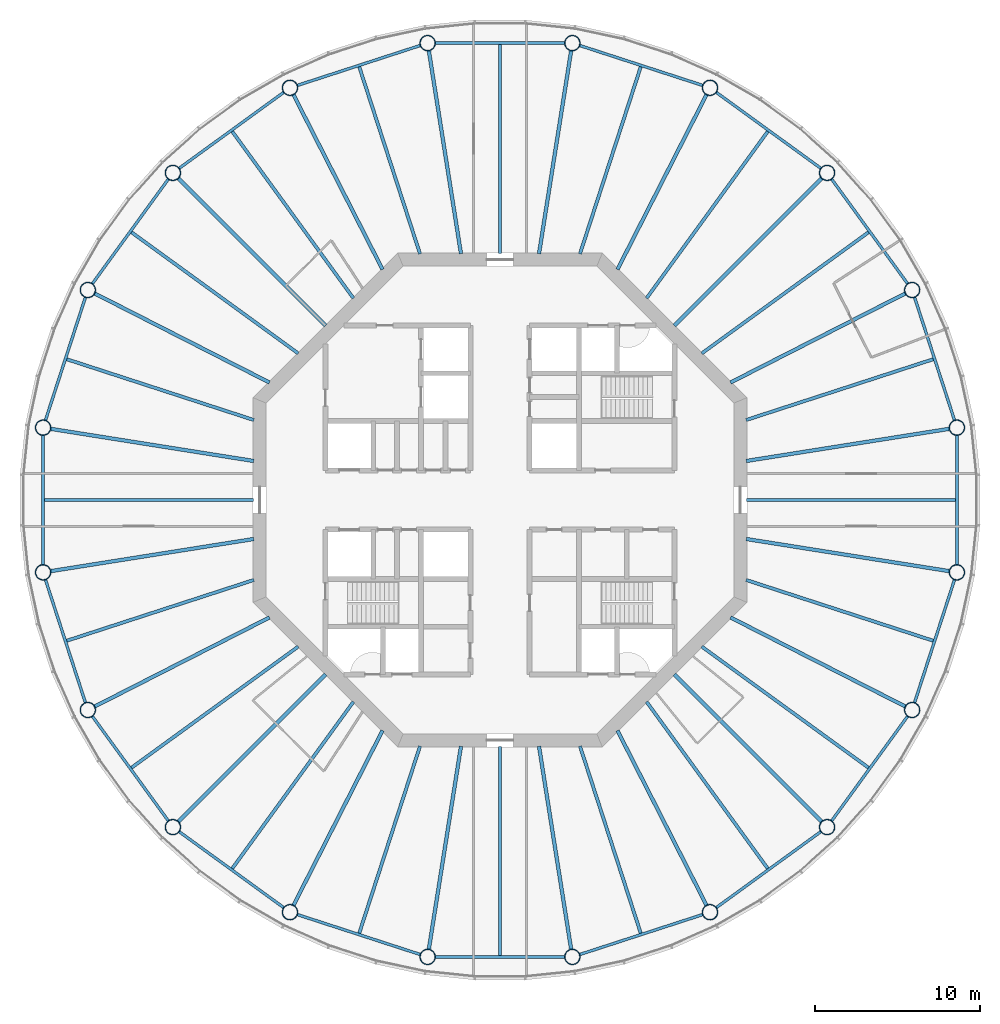
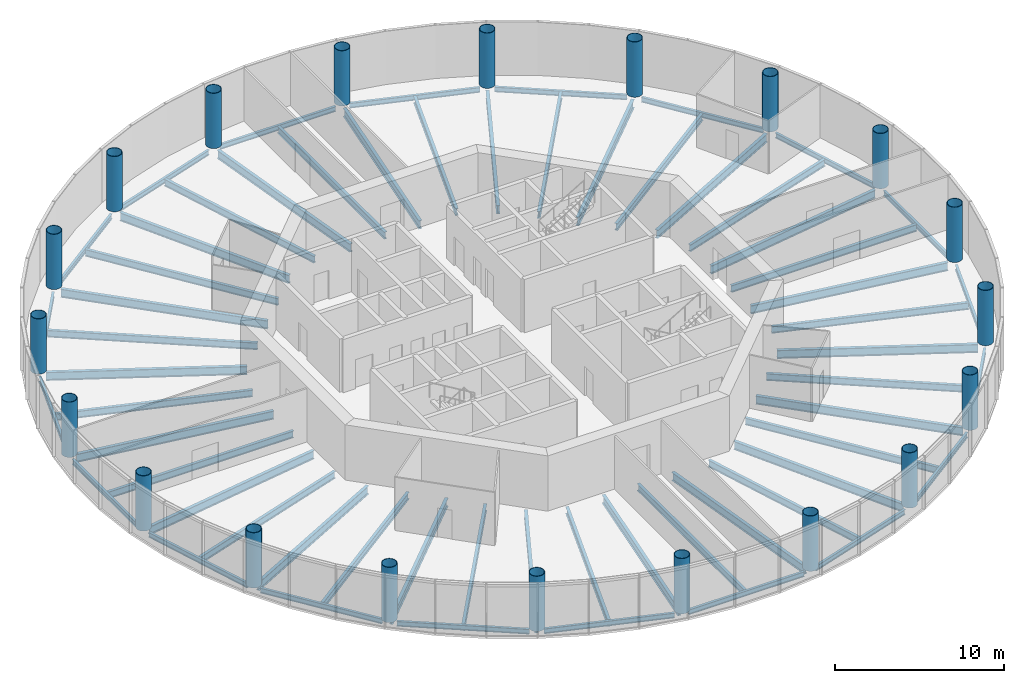
# One storey, part 1 of 12: 60 beams, 20 columns.
"""IFC4 building model written with IfcOpenShell, lengths in metres."""

from ifc_helpers import new_model, si_unit, direction, frame, origin, origin_2d, place, context, subcontext, project, spatial, circle, hollow_circle, i_section, extrude, material, material_profile, profile_set, type_object, element, save


model = new_model("IFC4")

# Units and contexts
model_context = context("Model", 3, precision=1e-05, world=origin(), true_north=direction((0.0, 1.0)))
body_context = subcontext(model_context, "Body", "Model", "MODEL_VIEW")
ifc_project = project(units=[si_unit("LENGTHUNIT", "METRE"), si_unit("AREAUNIT", "SQUARE_METRE"), si_unit("VOLUMEUNIT", "CUBIC_METRE"), si_unit("PLANEANGLEUNIT", "RADIAN"), si_unit("MASSUNIT", "GRAM", prefix="KILO")], contexts=[model_context])

# Site, building, storey
site_placement = place(None, origin())
site = spatial("IfcSite", under=ifc_project, at=site_placement, CompositionType="ELEMENT")
building_placement = place(site_placement, origin())
building = spatial("IfcBuilding", under=site, at=building_placement, Name="Entoto Ring Tower", CompositionType="ELEMENT")
storey_placement = place(building_placement, frame((0.0, 0.0, 322.0)))
storey = spatial("IfcBuildingStorey", under=building, at=storey_placement, Name="L74", CompositionType="ELEMENT", Elevation=322.0)

# Columns
ifc_material_1 = material(Name="Steel S355", Category="steel")
ifc_material_profile_1 = material_profile(ifc_material_1, hollow_circle(Radius=0.47509765625, WallThickness=0.034912109375, at=origin_2d()), Name="CHS 950 x 35")
ifc_material_2 = material(Name="Concrete C60/75", Category="concrete")
ifc_material_profile_2 = material_profile(ifc_material_2, circle(Radius=0.43994140625, at=origin_2d()), Name="Concrete C60/75 infill")
ifc_profile_set_1 = profile_set([ifc_material_profile_1, ifc_material_profile_2], Name="Steel S355")
column_type = type_object("IfcColumnType", Name="Ring column 950 x 35 concrete-filled tube", PredefinedType="COLUMN", material=ifc_profile_set_1)
for number, where, z_axis, x_axis, name in (
    (1, (117.754150390625, 84.395751953125, 0.0), (0.0, 0.0, 1.0), (1.0, 0.0, 0.0), "RC5 R01"),
    (2, (115.037353515625, 92.757080078125, 0.0), (0.0, 0.0, 1.0), (1.0, 0.0, 0.0), "RC5 R02"),
    (3, (109.86962890625, 99.86962890625, 0.0), (0.0, 0.0, 1.0), (1.0, 0.0, 0.0), "RC5 R03"),
    (4, (102.757080078125, 105.037353515625, 0.0), (0.0, 0.0, 1.0), (1.0, 0.0, 0.0), "RC5 R04"),
    (5, (94.395751953125, 107.754150390625, 0.0), (0.0, 0.0, 1.0), (1.0, 0.0, 0.0), "RC5 R05"),
    (6, (85.604248046875, 107.754150390625, 0.0), (0.0, 0.0, 1.0), (1.0, 0.0, 0.0), "RC5 R06"),
    (7, (77.242919921875, 105.037353515625, 0.0), (0.0, 0.0, 1.0), (1.0, 0.0, 0.0), "RC5 R07"),
    (8, (70.13037109375, 99.86962890625, 0.0), (0.0, 0.0, 1.0), (1.0, 0.0, 0.0), "RC5 R08"),
    (9, (64.962646484375, 92.757080078125, 0.0), (0.0, 0.0, 1.0), (1.0, 0.0, 0.0), "RC5 R09"),
    (10, (62.245849609375, 84.395751953125, 0.0), (0.0, 0.0, 1.0), (1.0, 0.0, 0.0), "RC5 R10"),
    (11, (62.245849609375, 75.604248046875, 0.0), (0.0, 0.0, 1.0), (1.0, 0.0, 0.0), "RC5 R11"),
    (12, (64.962646484375, 67.242919921875, 0.0), (0.0, 0.0, 1.0), (1.0, 0.0, 0.0), "RC5 R12"),
    (13, (70.13037109375, 60.13037109375, 0.0), (0.0, 0.0, 1.0), (1.0, 0.0, 0.0), "RC5 R13"),
    (14, (77.242919921875, 54.962646484375, 0.0), (0.0, 0.0, 1.0), (1.0, 0.0, 0.0), "RC5 R14"),
    (15, (85.604248046875, 52.245849609375, 0.0), (0.0, 0.0, 1.0), (1.0, 0.0, 0.0), "RC5 R15"),
    (16, (94.395751953125, 52.245849609375, 0.0), (0.0, 0.0, 1.0), (1.0, 0.0, 0.0), "RC5 R16"),
    (17, (102.757080078125, 54.962646484375, 0.0), (0.0, 0.0, 1.0), (1.0, 0.0, 0.0), "RC5 R17"),
    (18, (109.86962890625, 60.13037109375, 0.0), (0.0, 0.0, 1.0), (1.0, 0.0, 0.0), "RC5 R18"),
    (19, (115.037353515625, 67.242919921875, 0.0), (0.0, 0.0, 1.0), (1.0, 0.0, 0.0), "RC5 R19"),
    (20, (117.754150390625, 75.604248046875, 0.0), (0.0, 0.0, 1.0), (1.0, 0.0, 0.0), "RC5 R20"),
):
    element("IfcColumn", number, at=place(storey_placement, frame(where, z_axis=z_axis, x_axis=x_axis)), inside=storey, type_object=column_type, Name=name, PredefinedType="COLUMN", context=body_context, shape_type="SweptSolid", body=[
        extrude(hollow_circle(Radius=0.47509765625, WallThickness=0.034912109375, at=origin_2d()), origin(), (0.0, 0.0, 1.0), 4.0),
    ])

# Beams
ifc_material_3 = material(Name="Steel S355", Category="steel")
ifc_material_profile_3 = material_profile(ifc_material_3, i_section(OverallWidth=0.169921875, OverallDepth=0.360107421875, WebThickness=0.008056640625, FlangeThickness=0.0126953125, FilletRadius=0.01806640625, at=origin_2d()), Name="IPE 360")
ifc_profile_set_2 = profile_set([ifc_material_profile_3], Name="Steel S355")
beam_type_1 = type_object("IfcBeamType", Name="Edge beam IPE 360", PredefinedType="SPANDREL", material=ifc_profile_set_2)
beam_1_placement = place(storey_placement, frame((117.61572265625, 84.8212890625, -0.330078125), z_axis=(-0.309002883506, 0.951061101079, 0.0), x_axis=(-0.951061101079, -0.309002883506, 0.0)))
element("IfcBeam", 21, at=beam_1_placement, inside=storey, type_object=beam_type_1, Name="Edge beam L74 01", PredefinedType="SPANDREL", context=body_context, shape_type="SweptSolid", body=[
    extrude(i_section(OverallWidth=0.169921875, OverallDepth=0.360107421875, WebThickness=0.008056640625, FlangeThickness=0.0126953125, FilletRadius=0.01806640625, at=origin_2d()), origin(), (0.0, 0.0, 1.0), 7.89697265625),
])
for number, where, z_axis, x_axis, name in (
    (22, (114.7744140625, 93.118896484375, -0.330078125), (-0.587787449408, 0.809015398073, 0.0), (-0.809015398073, -0.587787449408, 0.0), "Edge beam L74 02"),
    (23, (109.5078125, 100.132568359375, -0.330078125), (-0.809015398073, 0.587787449408, 0.0), (-0.587787449408, -0.809015398073, 0.0), "Edge beam L74 03"),
):
    element("IfcBeam", number, at=place(storey_placement, frame(where, z_axis=z_axis, x_axis=x_axis)), inside=storey, type_object=beam_type_1, Name=name, PredefinedType="SPANDREL", context=body_context, shape_type="SweptSolid", body=[
        extrude(i_section(OverallWidth=0.169921875, OverallDepth=0.360107421875, WebThickness=0.008056640625, FlangeThickness=0.0126953125, FilletRadius=0.01806640625, at=origin_2d()), origin(), (0.0, 0.0, 1.0), 7.897216796875),
    ])
for number, where, z_axis, x_axis, name in (
    (24, (102.331787109375, 105.175537109375, -0.330078125), (-0.951061101079, 0.309002883506, 0.0), (-0.309002883506, -0.951061101079, 0.0), "Edge beam L74 04"),
    (25, (93.948486328125, 107.754150390625, -0.330078125), (-1.0, 0.0, 0.0), (0.0, -1.0, 0.0), "Edge beam L74 05"),
    (26, (85.1787109375, 107.61572265625, -0.330078125), (-0.951061101079, -0.309002883506, 0.0), (0.309002883506, -0.951061101079, 0.0), "Edge beam L74 06"),
):
    element("IfcBeam", number, at=place(storey_placement, frame(where, z_axis=z_axis, x_axis=x_axis)), inside=storey, type_object=beam_type_1, Name=name, PredefinedType="SPANDREL", context=body_context, shape_type="SweptSolid", body=[
        extrude(i_section(OverallWidth=0.169921875, OverallDepth=0.360107421875, WebThickness=0.008056640625, FlangeThickness=0.0126953125, FilletRadius=0.01806640625, at=origin_2d()), origin(), (0.0, 0.0, 1.0), 7.89697265625),
    ])
for number, where, z_axis, x_axis, name in (
    (27, (76.881103515625, 104.7744140625, -0.330078125), (-0.809015398073, -0.587787449408, 0.0), (0.587787449408, -0.809015398073, 0.0), "Edge beam L74 07"),
    (28, (69.867431640625, 99.5078125, -0.330078125), (-0.587787449408, -0.809015398073, 0.0), (0.809015398073, -0.587787449408, 0.0), "Edge beam L74 08"),
):
    element("IfcBeam", number, at=place(storey_placement, frame(where, z_axis=z_axis, x_axis=x_axis)), inside=storey, type_object=beam_type_1, Name=name, PredefinedType="SPANDREL", context=body_context, shape_type="SweptSolid", body=[
        extrude(i_section(OverallWidth=0.169921875, OverallDepth=0.360107421875, WebThickness=0.008056640625, FlangeThickness=0.0126953125, FilletRadius=0.01806640625, at=origin_2d()), origin(), (0.0, 0.0, 1.0), 7.897216796875),
    ])
for number, where, z_axis, x_axis, name in (
    (29, (64.824462890625, 92.331787109375, -0.330078125), (-0.309002883506, -0.951061101079, 0.0), (0.951061101079, -0.309002883506, 0.0), "Edge beam L74 09"),
    (30, (62.245849609375, 83.948486328125, -0.330078125), (0.0, -1.0, 0.0), (1.0, 0.0, 0.0), "Edge beam L74 10"),
    (31, (62.38427734375, 75.1787109375, -0.330078125), (0.309002883506, -0.951061101079, 0.0), (0.951061101079, 0.309002883506, 0.0), "Edge beam L74 11"),
):
    element("IfcBeam", number, at=place(storey_placement, frame(where, z_axis=z_axis, x_axis=x_axis)), inside=storey, type_object=beam_type_1, Name=name, PredefinedType="SPANDREL", context=body_context, shape_type="SweptSolid", body=[
        extrude(i_section(OverallWidth=0.169921875, OverallDepth=0.360107421875, WebThickness=0.008056640625, FlangeThickness=0.0126953125, FilletRadius=0.01806640625, at=origin_2d()), origin(), (0.0, 0.0, 1.0), 7.89697265625),
    ])
for number, where, z_axis, x_axis, name in (
    (32, (65.2255859375, 66.881103515625, -0.330078125), (0.587787449408, -0.809015398073, 0.0), (0.809015398073, 0.587787449408, 0.0), "Edge beam L74 12"),
    (33, (70.4921875, 59.867431640625, -0.330078125), (0.809015398073, -0.587787449408, 0.0), (0.587787449408, 0.809015398073, 0.0), "Edge beam L74 13"),
):
    element("IfcBeam", number, at=place(storey_placement, frame(where, z_axis=z_axis, x_axis=x_axis)), inside=storey, type_object=beam_type_1, Name=name, PredefinedType="SPANDREL", context=body_context, shape_type="SweptSolid", body=[
        extrude(i_section(OverallWidth=0.169921875, OverallDepth=0.360107421875, WebThickness=0.008056640625, FlangeThickness=0.0126953125, FilletRadius=0.01806640625, at=origin_2d()), origin(), (0.0, 0.0, 1.0), 7.897216796875),
    ])
for number, where, z_axis, x_axis, name in (
    (34, (77.668212890625, 54.824462890625, -0.330078125), (0.951061101079, -0.309002883506, 0.0), (0.309002883506, 0.951061101079, 0.0), "Edge beam L74 14"),
    (35, (86.051513671875, 52.245849609375, -0.330078125), (1.0, 0.0, 0.0), (0.0, 1.0, 0.0), "Edge beam L74 15"),
    (36, (94.8212890625, 52.38427734375, -0.330078125), (0.951061101079, 0.309002883506, 0.0), (-0.309002883506, 0.951061101079, 0.0), "Edge beam L74 16"),
):
    element("IfcBeam", number, at=place(storey_placement, frame(where, z_axis=z_axis, x_axis=x_axis)), inside=storey, type_object=beam_type_1, Name=name, PredefinedType="SPANDREL", context=body_context, shape_type="SweptSolid", body=[
        extrude(i_section(OverallWidth=0.169921875, OverallDepth=0.360107421875, WebThickness=0.008056640625, FlangeThickness=0.0126953125, FilletRadius=0.01806640625, at=origin_2d()), origin(), (0.0, 0.0, 1.0), 7.89697265625),
    ])
for number, where, z_axis, x_axis, name in (
    (37, (103.118896484375, 55.2255859375, -0.330078125), (0.809015398073, 0.587787449408, 0.0), (-0.587787449408, 0.809015398073, 0.0), "Edge beam L74 17"),
    (38, (110.132568359375, 60.4921875, -0.330078125), (0.587787449408, 0.809015398073, 0.0), (-0.809015398073, 0.587787449408, 0.0), "Edge beam L74 18"),
):
    element("IfcBeam", number, at=place(storey_placement, frame(where, z_axis=z_axis, x_axis=x_axis)), inside=storey, type_object=beam_type_1, Name=name, PredefinedType="SPANDREL", context=body_context, shape_type="SweptSolid", body=[
        extrude(i_section(OverallWidth=0.169921875, OverallDepth=0.360107421875, WebThickness=0.008056640625, FlangeThickness=0.0126953125, FilletRadius=0.01806640625, at=origin_2d()), origin(), (0.0, 0.0, 1.0), 7.897216796875),
    ])
for number, where, z_axis, x_axis, name in (
    (39, (115.175537109375, 67.668212890625, -0.330078125), (0.309002883506, 0.951061101079, 0.0), (-0.951061101079, 0.309002883506, 0.0), "Edge beam L74 19"),
    (40, (117.754150390625, 76.051513671875, -0.330078125), (0.0, 1.0, 0.0), (-1.0, 0.0, 0.0), "Edge beam L74 20"),
):
    element("IfcBeam", number, at=place(storey_placement, frame(where, z_axis=z_axis, x_axis=x_axis)), inside=storey, type_object=beam_type_1, Name=name, PredefinedType="SPANDREL", context=body_context, shape_type="SweptSolid", body=[
        extrude(i_section(OverallWidth=0.169921875, OverallDepth=0.360107421875, WebThickness=0.008056640625, FlangeThickness=0.0126953125, FilletRadius=0.01806640625, at=origin_2d()), origin(), (0.0, 0.0, 1.0), 7.89697265625),
    ])
ifc_material_4 = material(Name="Steel S355", Category="steel")
ifc_material_profile_4 = material_profile(ifc_material_4, i_section(OverallWidth=0.219970703125, OverallDepth=0.60009765625, WebThickness=0.011962890625, FlangeThickness=0.01904296875, FilletRadius=0.02392578125, at=origin_2d()), Name="IPE 600")
ifc_profile_set_3 = profile_set([ifc_material_profile_4], Name="Steel S355")
beam_type_2 = type_object("IfcBeamType", Name="Primary floor beam IPE 600", PredefinedType="BEAM", material=ifc_profile_set_3)
beam_2_placement = place(storey_placement, frame((104.963134765625, 82.369873046875, -0.449951171875), z_axis=(0.987687519796, 0.156439647277, 0.0), x_axis=(-0.156439647277, 0.987687519796, 0.0)))
element("IfcBeam", 41, at=beam_2_placement, inside=storey, type_object=beam_type_2, Name="Primary L74 R01", PredefinedType="BEAM", context=body_context, shape_type="SweptSolid", body=[
    extrude(i_section(OverallWidth=0.219970703125, OverallDepth=0.60009765625, WebThickness=0.011962890625, FlangeThickness=0.01904296875, FilletRadius=0.02392578125, at=origin_2d()), origin(), (0.0, 0.0, 1.0), 12.50830078125),
])
beam_3_placement = place(storey_placement, frame((104.003173828125, 87.135009765625, -0.449951171875), z_axis=(0.891007666593, 0.453988257638, 0.0), x_axis=(-0.453988257638, 0.891007666593, 0.0)))
element("IfcBeam", 42, at=beam_3_placement, inside=storey, type_object=beam_type_2, Name="Primary L74 R02", PredefinedType="BEAM", context=body_context, shape_type="SweptSolid", body=[
    extrude(i_section(OverallWidth=0.219970703125, OverallDepth=0.60009765625, WebThickness=0.011962890625, FlangeThickness=0.01904296875, FilletRadius=0.02392578125, at=origin_2d()), origin(), (0.0, 0.0, 1.0), 11.941650390625),
])
beam_4_placement = place(storey_placement, frame((100.592529296875, 90.592529296875, -0.449951171875), z_axis=(0.707106781187, 0.707106781187, 0.0), x_axis=(-0.707106781187, 0.707106781187, 0.0)))
element("IfcBeam", 43, at=beam_4_placement, inside=storey, type_object=beam_type_2, Name="Primary L74 R03", PredefinedType="BEAM", context=body_context, shape_type="SweptSolid", body=[
    extrude(i_section(OverallWidth=0.219970703125, OverallDepth=0.60009765625, WebThickness=0.011962890625, FlangeThickness=0.01904296875, FilletRadius=0.02392578125, at=origin_2d()), origin(), (0.0, 0.0, 1.0), 12.677978515625),
])
beam_5_placement = place(storey_placement, frame((97.135009765625, 94.003173828125, -0.449951171875), z_axis=(0.453988257638, 0.891007666593, 0.0), x_axis=(-0.891007666593, 0.453988257638, 0.0)))
element("IfcBeam", 44, at=beam_5_placement, inside=storey, type_object=beam_type_2, Name="Primary L74 R04", PredefinedType="BEAM", context=body_context, shape_type="SweptSolid", body=[
    extrude(i_section(OverallWidth=0.219970703125, OverallDepth=0.60009765625, WebThickness=0.011962890625, FlangeThickness=0.01904296875, FilletRadius=0.02392578125, at=origin_2d()), origin(), (0.0, 0.0, 1.0), 11.941650390625),
])
for number, where, z_axis, x_axis, name in (
    (45, (92.369873046875, 94.963134765625, -0.449951171875), (0.156439647277, 0.987687519796, 0.0), (-0.987687519796, 0.156439647277, 0.0), "Primary L74 R05"),
    (46, (87.630126953125, 94.963134765625, -0.449951171875), (-0.156439647277, 0.987687519796, 0.0), (-0.987687519796, -0.156439647277, 0.0), "Primary L74 R06"),
):
    element("IfcBeam", number, at=place(storey_placement, frame(where, z_axis=z_axis, x_axis=x_axis)), inside=storey, type_object=beam_type_2, Name=name, PredefinedType="BEAM", context=body_context, shape_type="SweptSolid", body=[
        extrude(i_section(OverallWidth=0.219970703125, OverallDepth=0.60009765625, WebThickness=0.011962890625, FlangeThickness=0.01904296875, FilletRadius=0.02392578125, at=origin_2d()), origin(), (0.0, 0.0, 1.0), 12.50830078125),
    ])
beam_6_placement = place(storey_placement, frame((82.864990234375, 94.003173828125, -0.449951171875), z_axis=(-0.453988257638, 0.891007666593, 0.0), x_axis=(-0.891007666593, -0.453988257638, 0.0)))
element("IfcBeam", 47, at=beam_6_placement, inside=storey, type_object=beam_type_2, Name="Primary L74 R07", PredefinedType="BEAM", context=body_context, shape_type="SweptSolid", body=[
    extrude(i_section(OverallWidth=0.219970703125, OverallDepth=0.60009765625, WebThickness=0.011962890625, FlangeThickness=0.01904296875, FilletRadius=0.02392578125, at=origin_2d()), origin(), (0.0, 0.0, 1.0), 11.941650390625),
])
beam_7_placement = place(storey_placement, frame((79.407470703125, 90.592529296875, -0.449951171875), z_axis=(-0.707106781187, 0.707106781187, 0.0), x_axis=(-0.707106781187, -0.707106781187, 0.0)))
element("IfcBeam", 48, at=beam_7_placement, inside=storey, type_object=beam_type_2, Name="Primary L74 R08", PredefinedType="BEAM", context=body_context, shape_type="SweptSolid", body=[
    extrude(i_section(OverallWidth=0.219970703125, OverallDepth=0.60009765625, WebThickness=0.011962890625, FlangeThickness=0.01904296875, FilletRadius=0.02392578125, at=origin_2d()), origin(), (0.0, 0.0, 1.0), 12.677978515625),
])
beam_8_placement = place(storey_placement, frame((75.996826171875, 87.135009765625, -0.449951171875), z_axis=(-0.891007666593, 0.453988257638, 0.0), x_axis=(-0.453988257638, -0.891007666593, 0.0)))
element("IfcBeam", 49, at=beam_8_placement, inside=storey, type_object=beam_type_2, Name="Primary L74 R09", PredefinedType="BEAM", context=body_context, shape_type="SweptSolid", body=[
    extrude(i_section(OverallWidth=0.219970703125, OverallDepth=0.60009765625, WebThickness=0.011962890625, FlangeThickness=0.01904296875, FilletRadius=0.02392578125, at=origin_2d()), origin(), (0.0, 0.0, 1.0), 11.941650390625),
])
for number, where, z_axis, x_axis, name in (
    (50, (75.036865234375, 82.369873046875, -0.449951171875), (-0.987687519796, 0.156439647277, 0.0), (-0.156439647277, -0.987687519796, 0.0), "Primary L74 R10"),
    (51, (75.036865234375, 77.630126953125, -0.449951171875), (-0.987687519796, -0.156439647277, 0.0), (0.156439647277, -0.987687519796, 0.0), "Primary L74 R11"),
):
    element("IfcBeam", number, at=place(storey_placement, frame(where, z_axis=z_axis, x_axis=x_axis)), inside=storey, type_object=beam_type_2, Name=name, PredefinedType="BEAM", context=body_context, shape_type="SweptSolid", body=[
        extrude(i_section(OverallWidth=0.219970703125, OverallDepth=0.60009765625, WebThickness=0.011962890625, FlangeThickness=0.01904296875, FilletRadius=0.02392578125, at=origin_2d()), origin(), (0.0, 0.0, 1.0), 12.50830078125),
    ])
beam_9_placement = place(storey_placement, frame((75.996826171875, 72.864990234375, -0.449951171875), z_axis=(-0.891007666593, -0.453988257638, 0.0), x_axis=(0.453988257638, -0.891007666593, 0.0)))
element("IfcBeam", 52, at=beam_9_placement, inside=storey, type_object=beam_type_2, Name="Primary L74 R12", PredefinedType="BEAM", context=body_context, shape_type="SweptSolid", body=[
    extrude(i_section(OverallWidth=0.219970703125, OverallDepth=0.60009765625, WebThickness=0.011962890625, FlangeThickness=0.01904296875, FilletRadius=0.02392578125, at=origin_2d()), origin(), (0.0, 0.0, 1.0), 11.941650390625),
])
beam_10_placement = place(storey_placement, frame((79.407470703125, 69.407470703125, -0.449951171875), z_axis=(-0.707106781187, -0.707106781187, 0.0), x_axis=(0.707106781187, -0.707106781187, 0.0)))
element("IfcBeam", 53, at=beam_10_placement, inside=storey, type_object=beam_type_2, Name="Primary L74 R13", PredefinedType="BEAM", context=body_context, shape_type="SweptSolid", body=[
    extrude(i_section(OverallWidth=0.219970703125, OverallDepth=0.60009765625, WebThickness=0.011962890625, FlangeThickness=0.01904296875, FilletRadius=0.02392578125, at=origin_2d()), origin(), (0.0, 0.0, 1.0), 12.677978515625),
])
beam_11_placement = place(storey_placement, frame((82.864990234375, 65.996826171875, -0.449951171875), z_axis=(-0.453988257638, -0.891007666593, 0.0), x_axis=(0.891007666593, -0.453988257638, 0.0)))
element("IfcBeam", 54, at=beam_11_placement, inside=storey, type_object=beam_type_2, Name="Primary L74 R14", PredefinedType="BEAM", context=body_context, shape_type="SweptSolid", body=[
    extrude(i_section(OverallWidth=0.219970703125, OverallDepth=0.60009765625, WebThickness=0.011962890625, FlangeThickness=0.01904296875, FilletRadius=0.02392578125, at=origin_2d()), origin(), (0.0, 0.0, 1.0), 11.941650390625),
])
for number, where, z_axis, x_axis, name in (
    (55, (87.630126953125, 65.036865234375, -0.449951171875), (-0.156439647277, -0.987687519796, 0.0), (0.987687519796, -0.156439647277, 0.0), "Primary L74 R15"),
    (56, (92.369873046875, 65.036865234375, -0.449951171875), (0.156439647277, -0.987687519796, 0.0), (0.987687519796, 0.156439647277, 0.0), "Primary L74 R16"),
):
    element("IfcBeam", number, at=place(storey_placement, frame(where, z_axis=z_axis, x_axis=x_axis)), inside=storey, type_object=beam_type_2, Name=name, PredefinedType="BEAM", context=body_context, shape_type="SweptSolid", body=[
        extrude(i_section(OverallWidth=0.219970703125, OverallDepth=0.60009765625, WebThickness=0.011962890625, FlangeThickness=0.01904296875, FilletRadius=0.02392578125, at=origin_2d()), origin(), (0.0, 0.0, 1.0), 12.50830078125),
    ])
beam_12_placement = place(storey_placement, frame((97.135009765625, 65.996826171875, -0.449951171875), z_axis=(0.453988257638, -0.891007666593, 0.0), x_axis=(0.891007666593, 0.453988257638, 0.0)))
element("IfcBeam", 57, at=beam_12_placement, inside=storey, type_object=beam_type_2, Name="Primary L74 R17", PredefinedType="BEAM", context=body_context, shape_type="SweptSolid", body=[
    extrude(i_section(OverallWidth=0.219970703125, OverallDepth=0.60009765625, WebThickness=0.011962890625, FlangeThickness=0.01904296875, FilletRadius=0.02392578125, at=origin_2d()), origin(), (0.0, 0.0, 1.0), 11.941650390625),
])
beam_13_placement = place(storey_placement, frame((100.592529296875, 69.407470703125, -0.449951171875), z_axis=(0.707106781187, -0.707106781187, 0.0), x_axis=(0.707106781187, 0.707106781187, 0.0)))
element("IfcBeam", 58, at=beam_13_placement, inside=storey, type_object=beam_type_2, Name="Primary L74 R18", PredefinedType="BEAM", context=body_context, shape_type="SweptSolid", body=[
    extrude(i_section(OverallWidth=0.219970703125, OverallDepth=0.60009765625, WebThickness=0.011962890625, FlangeThickness=0.01904296875, FilletRadius=0.02392578125, at=origin_2d()), origin(), (0.0, 0.0, 1.0), 12.677978515625),
])
beam_14_placement = place(storey_placement, frame((104.003173828125, 72.864990234375, -0.449951171875), z_axis=(0.891007666593, -0.453988257638, 0.0), x_axis=(0.453988257638, 0.891007666593, 0.0)))
element("IfcBeam", 59, at=beam_14_placement, inside=storey, type_object=beam_type_2, Name="Primary L74 R19", PredefinedType="BEAM", context=body_context, shape_type="SweptSolid", body=[
    extrude(i_section(OverallWidth=0.219970703125, OverallDepth=0.60009765625, WebThickness=0.011962890625, FlangeThickness=0.01904296875, FilletRadius=0.02392578125, at=origin_2d()), origin(), (0.0, 0.0, 1.0), 11.941650390625),
])
beam_15_placement = place(storey_placement, frame((104.963134765625, 77.630126953125, -0.449951171875), z_axis=(0.987687519796, -0.156439647277, 0.0), x_axis=(0.156439647277, 0.987687519796, 0.0)))
element("IfcBeam", 60, at=beam_15_placement, inside=storey, type_object=beam_type_2, Name="Primary L74 R20", PredefinedType="BEAM", context=body_context, shape_type="SweptSolid", body=[
    extrude(i_section(OverallWidth=0.219970703125, OverallDepth=0.60009765625, WebThickness=0.011962890625, FlangeThickness=0.01904296875, FilletRadius=0.02392578125, at=origin_2d()), origin(), (0.0, 0.0, 1.0), 12.50830078125),
])
ifc_material_5 = material(Name="Steel S355", Category="steel")
ifc_material_profile_5 = material_profile(ifc_material_5, i_section(OverallWidth=0.199951171875, OverallDepth=0.5, WebThickness=0.01025390625, FlangeThickness=0.01611328125, FilletRadius=0.02099609375, at=origin_2d()), Name="IPE 500")
ifc_profile_set_4 = profile_set([ifc_material_profile_5], Name="Steel S355")
beam_type_3 = type_object("IfcBeamType", Name="Secondary floor beam IPE 500", PredefinedType="JOIST", material=ifc_profile_set_4)
beam_16_placement = place(storey_placement, frame((104.9501953125, 84.857666015625, -0.39990234375), z_axis=(0.951056587506, 0.30901677521, 0.0), x_axis=(-0.30901677521, 0.951056587506, 0.0)))
element("IfcBeam", 61, at=beam_16_placement, inside=storey, type_object=beam_type_3, Name="Secondary beam L74 01", PredefinedType="JOIST", context=body_context, shape_type="SweptSolid", body=[
    extrude(i_section(OverallWidth=0.199951171875, OverallDepth=0.5, WebThickness=0.01025390625, FlangeThickness=0.01611328125, FilletRadius=0.02099609375, at=origin_2d()), origin(), (0.0, 0.0, 1.0), 11.94970703125),
])
for number, where, z_axis, x_axis, name in (
    (62, (102.257568359375, 88.905517578125, -0.39990234375), (0.80901431041, 0.587788946436, 0.0), (-0.587788946436, 0.80901431041, 0.0), "Secondary beam L74 02"),
    (63, (98.905517578125, 92.257568359375, -0.39990234375), (0.587788946436, 0.80901431041, 0.0), (-0.80901431041, 0.587788946436, 0.0), "Secondary beam L74 03"),
):
    element("IfcBeam", number, at=place(storey_placement, frame(where, z_axis=z_axis, x_axis=x_axis)), inside=storey, type_object=beam_type_3, Name=name, PredefinedType="JOIST", context=body_context, shape_type="SweptSolid", body=[
        extrude(i_section(OverallWidth=0.199951171875, OverallDepth=0.5, WebThickness=0.01025390625, FlangeThickness=0.01611328125, FilletRadius=0.02099609375, at=origin_2d()), origin(), (0.0, 0.0, 1.0), 12.51806640625),
    ])
beam_17_placement = place(storey_placement, frame((94.857666015625, 94.9501953125, -0.39990234375), z_axis=(0.30901677521, 0.951056587506, 0.0), x_axis=(-0.951056587506, 0.30901677521, 0.0)))
element("IfcBeam", 64, at=beam_17_placement, inside=storey, type_object=beam_type_3, Name="Secondary beam L74 04", PredefinedType="JOIST", context=body_context, shape_type="SweptSolid", body=[
    extrude(i_section(OverallWidth=0.199951171875, OverallDepth=0.5, WebThickness=0.01025390625, FlangeThickness=0.01611328125, FilletRadius=0.02099609375, at=origin_2d()), origin(), (0.0, 0.0, 1.0), 11.94970703125),
])
beam_18_placement = place(storey_placement, frame((90.0, 94.97998046875, -0.39990234375), z_axis=(0.0, 1.0, 0.0), x_axis=(-1.0, 0.0, 0.0)))
element("IfcBeam", 65, at=beam_18_placement, inside=storey, type_object=beam_type_3, Name="Secondary beam L74 05", PredefinedType="JOIST", context=body_context, shape_type="SweptSolid", body=[
    extrude(i_section(OverallWidth=0.199951171875, OverallDepth=0.5, WebThickness=0.01025390625, FlangeThickness=0.01611328125, FilletRadius=0.02099609375, at=origin_2d()), origin(), (0.0, 0.0, 1.0), 12.68896484375),
])
beam_19_placement = place(storey_placement, frame((85.142333984375, 94.9501953125, -0.39990234375), z_axis=(-0.30901677521, 0.951056587506, 0.0), x_axis=(-0.951056587506, -0.30901677521, 0.0)))
element("IfcBeam", 66, at=beam_19_placement, inside=storey, type_object=beam_type_3, Name="Secondary beam L74 06", PredefinedType="JOIST", context=body_context, shape_type="SweptSolid", body=[
    extrude(i_section(OverallWidth=0.199951171875, OverallDepth=0.5, WebThickness=0.01025390625, FlangeThickness=0.01611328125, FilletRadius=0.02099609375, at=origin_2d()), origin(), (0.0, 0.0, 1.0), 11.94970703125),
])
for number, where, z_axis, x_axis, name in (
    (67, (81.094482421875, 92.257568359375, -0.39990234375), (-0.587788946436, 0.80901431041, 0.0), (-0.80901431041, -0.587788946436, 0.0), "Secondary beam L74 07"),
    (68, (77.742431640625, 88.905517578125, -0.39990234375), (-0.80901431041, 0.587788946436, 0.0), (-0.587788946436, -0.80901431041, 0.0), "Secondary beam L74 08"),
):
    element("IfcBeam", number, at=place(storey_placement, frame(where, z_axis=z_axis, x_axis=x_axis)), inside=storey, type_object=beam_type_3, Name=name, PredefinedType="JOIST", context=body_context, shape_type="SweptSolid", body=[
        extrude(i_section(OverallWidth=0.199951171875, OverallDepth=0.5, WebThickness=0.01025390625, FlangeThickness=0.01611328125, FilletRadius=0.02099609375, at=origin_2d()), origin(), (0.0, 0.0, 1.0), 12.51806640625),
    ])
beam_20_placement = place(storey_placement, frame((75.0498046875, 84.857666015625, -0.39990234375), z_axis=(-0.951056587506, 0.30901677521, 0.0), x_axis=(-0.30901677521, -0.951056587506, 0.0)))
element("IfcBeam", 69, at=beam_20_placement, inside=storey, type_object=beam_type_3, Name="Secondary beam L74 09", PredefinedType="JOIST", context=body_context, shape_type="SweptSolid", body=[
    extrude(i_section(OverallWidth=0.199951171875, OverallDepth=0.5, WebThickness=0.01025390625, FlangeThickness=0.01611328125, FilletRadius=0.02099609375, at=origin_2d()), origin(), (0.0, 0.0, 1.0), 11.94970703125),
])
beam_21_placement = place(storey_placement, frame((75.02001953125, 80.0, -0.39990234375), z_axis=(-1.0, 0.0, 0.0), x_axis=(0.0, -1.0, 0.0)))
element("IfcBeam", 70, at=beam_21_placement, inside=storey, type_object=beam_type_3, Name="Secondary beam L74 10", PredefinedType="JOIST", context=body_context, shape_type="SweptSolid", body=[
    extrude(i_section(OverallWidth=0.199951171875, OverallDepth=0.5, WebThickness=0.01025390625, FlangeThickness=0.01611328125, FilletRadius=0.02099609375, at=origin_2d()), origin(), (0.0, 0.0, 1.0), 12.68896484375),
])
beam_22_placement = place(storey_placement, frame((75.0498046875, 75.142333984375, -0.39990234375), z_axis=(-0.951056587506, -0.30901677521, 0.0), x_axis=(0.30901677521, -0.951056587506, 0.0)))
element("IfcBeam", 71, at=beam_22_placement, inside=storey, type_object=beam_type_3, Name="Secondary beam L74 11", PredefinedType="JOIST", context=body_context, shape_type="SweptSolid", body=[
    extrude(i_section(OverallWidth=0.199951171875, OverallDepth=0.5, WebThickness=0.01025390625, FlangeThickness=0.01611328125, FilletRadius=0.02099609375, at=origin_2d()), origin(), (0.0, 0.0, 1.0), 11.94970703125),
])
for number, where, z_axis, x_axis, name in (
    (72, (77.742431640625, 71.094482421875, -0.39990234375), (-0.80901431041, -0.587788946436, 0.0), (0.587788946436, -0.80901431041, 0.0), "Secondary beam L74 12"),
    (73, (81.094482421875, 67.742431640625, -0.39990234375), (-0.587788946436, -0.80901431041, 0.0), (0.80901431041, -0.587788946436, 0.0), "Secondary beam L74 13"),
):
    element("IfcBeam", number, at=place(storey_placement, frame(where, z_axis=z_axis, x_axis=x_axis)), inside=storey, type_object=beam_type_3, Name=name, PredefinedType="JOIST", context=body_context, shape_type="SweptSolid", body=[
        extrude(i_section(OverallWidth=0.199951171875, OverallDepth=0.5, WebThickness=0.01025390625, FlangeThickness=0.01611328125, FilletRadius=0.02099609375, at=origin_2d()), origin(), (0.0, 0.0, 1.0), 12.51806640625),
    ])
beam_23_placement = place(storey_placement, frame((85.142333984375, 65.0498046875, -0.39990234375), z_axis=(-0.30901677521, -0.951056587506, 0.0), x_axis=(0.951056587506, -0.30901677521, 0.0)))
element("IfcBeam", 74, at=beam_23_placement, inside=storey, type_object=beam_type_3, Name="Secondary beam L74 14", PredefinedType="JOIST", context=body_context, shape_type="SweptSolid", body=[
    extrude(i_section(OverallWidth=0.199951171875, OverallDepth=0.5, WebThickness=0.01025390625, FlangeThickness=0.01611328125, FilletRadius=0.02099609375, at=origin_2d()), origin(), (0.0, 0.0, 1.0), 11.94970703125),
])
beam_24_placement = place(storey_placement, frame((90.0, 65.02001953125, -0.39990234375), z_axis=(0.0, -1.0, 0.0), x_axis=(1.0, 0.0, 0.0)))
element("IfcBeam", 75, at=beam_24_placement, inside=storey, type_object=beam_type_3, Name="Secondary beam L74 15", PredefinedType="JOIST", context=body_context, shape_type="SweptSolid", body=[
    extrude(i_section(OverallWidth=0.199951171875, OverallDepth=0.5, WebThickness=0.01025390625, FlangeThickness=0.01611328125, FilletRadius=0.02099609375, at=origin_2d()), origin(), (0.0, 0.0, 1.0), 12.68896484375),
])
beam_25_placement = place(storey_placement, frame((94.857666015625, 65.0498046875, -0.39990234375), z_axis=(0.30901677521, -0.951056587506, 0.0), x_axis=(0.951056587506, 0.30901677521, 0.0)))
element("IfcBeam", 76, at=beam_25_placement, inside=storey, type_object=beam_type_3, Name="Secondary beam L74 16", PredefinedType="JOIST", context=body_context, shape_type="SweptSolid", body=[
    extrude(i_section(OverallWidth=0.199951171875, OverallDepth=0.5, WebThickness=0.01025390625, FlangeThickness=0.01611328125, FilletRadius=0.02099609375, at=origin_2d()), origin(), (0.0, 0.0, 1.0), 11.94970703125),
])
for number, where, z_axis, x_axis, name in (
    (77, (98.905517578125, 67.742431640625, -0.39990234375), (0.587788946436, -0.80901431041, 0.0), (0.80901431041, 0.587788946436, 0.0), "Secondary beam L74 17"),
    (78, (102.257568359375, 71.094482421875, -0.39990234375), (0.80901431041, -0.587788946436, 0.0), (0.587788946436, 0.80901431041, 0.0), "Secondary beam L74 18"),
):
    element("IfcBeam", number, at=place(storey_placement, frame(where, z_axis=z_axis, x_axis=x_axis)), inside=storey, type_object=beam_type_3, Name=name, PredefinedType="JOIST", context=body_context, shape_type="SweptSolid", body=[
        extrude(i_section(OverallWidth=0.199951171875, OverallDepth=0.5, WebThickness=0.01025390625, FlangeThickness=0.01611328125, FilletRadius=0.02099609375, at=origin_2d()), origin(), (0.0, 0.0, 1.0), 12.51806640625),
    ])
beam_26_placement = place(storey_placement, frame((104.9501953125, 75.142333984375, -0.39990234375), z_axis=(0.951056587506, -0.30901677521, 0.0), x_axis=(0.30901677521, 0.951056587506, 0.0)))
element("IfcBeam", 79, at=beam_26_placement, inside=storey, type_object=beam_type_3, Name="Secondary beam L74 19", PredefinedType="JOIST", context=body_context, shape_type="SweptSolid", body=[
    extrude(i_section(OverallWidth=0.199951171875, OverallDepth=0.5, WebThickness=0.01025390625, FlangeThickness=0.01611328125, FilletRadius=0.02099609375, at=origin_2d()), origin(), (0.0, 0.0, 1.0), 11.94970703125),
])
beam_27_placement = place(storey_placement, frame((104.97998046875, 80.0, -0.39990234375), z_axis=(1.0, 0.0, 0.0), x_axis=(0.0, 1.0, 0.0)))
element("IfcBeam", 80, at=beam_27_placement, inside=storey, type_object=beam_type_3, Name="Secondary beam L74 20", PredefinedType="JOIST", context=body_context, shape_type="SweptSolid", body=[
    extrude(i_section(OverallWidth=0.199951171875, OverallDepth=0.5, WebThickness=0.01025390625, FlangeThickness=0.01611328125, FilletRadius=0.02099609375, at=origin_2d()), origin(), (0.0, 0.0, 1.0), 12.68896484375),
])

save(model, "model.ifc")
